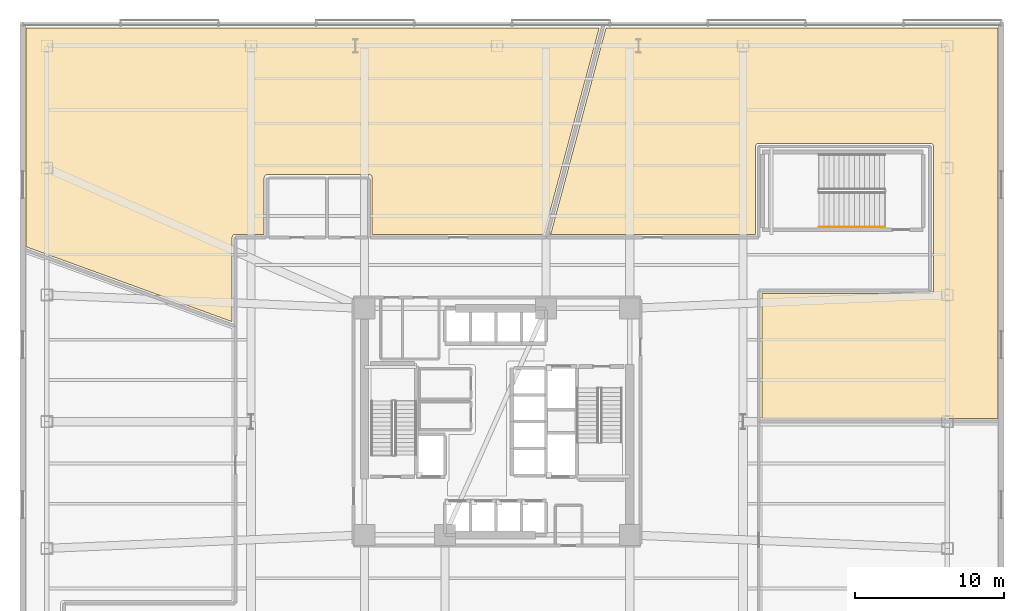
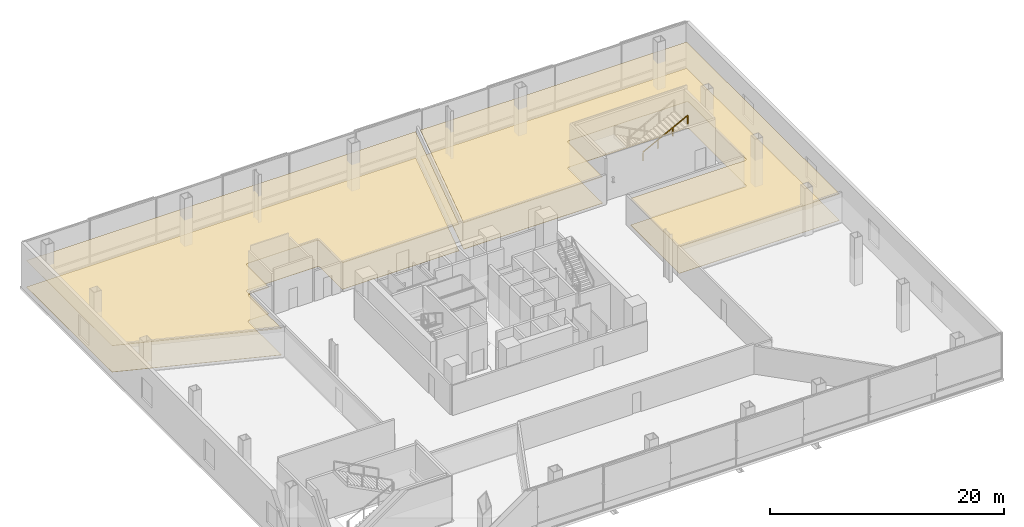
# One storey, part 23 of 24: 4 coverings, 1 railing.
"""IFC4 building model written with IfcOpenShell, lengths in metres."""

from ifc_helpers import new_model, si_unit, direction, frame, origin, origin_2d, place, context, subcontext, project, spatial, polyline, rectangle, outline, extrude, material, layer, layer_set, type_object, element, save


model = new_model("IFC4")

# Units and contexts
model_context = context("Model", 3, precision=1e-05, world=origin(), true_north=direction((0.0, 1.0)))
body_context = subcontext(model_context, "Body", "Model", "MODEL_VIEW")
ifc_project = project(units=[si_unit("LENGTHUNIT", "METRE"), si_unit("AREAUNIT", "SQUARE_METRE"), si_unit("VOLUMEUNIT", "CUBIC_METRE"), si_unit("PLANEANGLEUNIT", "RADIAN"), si_unit("MASSUNIT", "GRAM", prefix="KILO")], contexts=[model_context])

# Site, building, storey
site_placement = place(None, origin())
site = spatial("IfcSite", under=ifc_project, at=site_placement, CompositionType="ELEMENT")
building_placement = place(site_placement, origin())
building = spatial("IfcBuilding", under=site, at=building_placement, Name="Tharavind Bronze Gate", CompositionType="ELEMENT")
storey_placement = place(building_placement, frame((0.0, 0.0, 21.5)))
storey = spatial("IfcBuildingStorey", under=building, at=storey_placement, Name="L04", CompositionType="ELEMENT", Elevation=21.5)

# Coverings
ifc_material_1 = material(Name="Perforated Bronze Acoustic Panel", Category="bronze")
ifc_layer_1 = layer(ifc_material_1, 0.044921875)
ifc_layer_set_1 = layer_set([ifc_layer_1], Name="Perforated Bronze Acoustic Panel")
covering_type_1 = type_object("IfcCoveringType", Name="ACOUSTIC BRONZE BAFFLE CEILING", PredefinedType="CEILING", material=ifc_layer_set_1)
covering_1_placement = place(storey_placement, frame((0.0, 0.0, 2.75)))
element("IfcCovering", 1, at=covering_1_placement, inside=storey, type_object=covering_type_1, Name="L04-PD-01 suspended ceiling", PredefinedType="CEILING", context=body_context, shape_type="SweptSolid", body=[
    extrude(outline(polyline([(17.330078125, 12.570068359375), (17.330078125, 18.449462890625), (17.330322265625, 18.460205078125), (17.330322265625, 18.460693359375), (17.33251953125, 18.482421875), (17.336669921875, 18.50341796875), (17.343017578125, 18.524169921875), (17.351318359375, 18.5439453125), (17.361328125, 18.56298828125), (17.373291015625, 18.5810546875), (17.386962890625, 18.59765625), (17.40234375, 18.613037109375), (17.4189453125, 18.626708984375), (17.43701171875, 18.638671875), (17.4560546875, 18.648681640625), (17.475830078125, 18.656982421875), (17.49658203125, 18.663330078125), (17.517578125, 18.66748046875), (17.539306640625, 18.669677734375), (17.539794921875, 18.669677734375), (17.550537109375, 18.669921875), (29.04931640625, 18.669921875), (29.060302734375, 18.669677734375), (29.060791015625, 18.669677734375), (29.082275390625, 18.66748046875), (29.103515625, 18.663330078125), (29.1240234375, 18.656982421875), (29.14404296875, 18.648681640625), (29.1630859375, 18.638671875), (29.180908203125, 18.626708984375), (29.19775390625, 18.613037109375), (29.212890625, 18.59765625), (29.226806640625, 18.5810546875), (29.23876953125, 18.56298828125), (29.248779296875, 18.5439453125), (29.257080078125, 18.524169921875), (29.263427734375, 18.50341796875), (29.267578125, 18.482421875), (29.269775390625, 18.460693359375), (29.269775390625, 18.460205078125), (29.27001953125, 18.449462890625), (29.27001953125, 8.800537109375), (29.269775390625, 8.789794921875), (29.269775390625, 8.789306640625), (29.267578125, 8.767578125), (29.263427734375, 8.74658203125), (29.257080078125, 8.725830078125), (29.248779296875, 8.7060546875), (29.23876953125, 8.68701171875), (29.226806640625, 8.6689453125), (29.212890625, 8.65234375), (29.19775390625, 8.636962890625), (29.180908203125, 8.623291015625), (29.1630859375, 8.611328125), (29.14404296875, 8.601318359375), (29.1240234375, 8.593017578125), (29.103515625, 8.586669921875), (29.082275390625, 8.58251953125), (29.060791015625, 8.580322265625), (29.060302734375, 8.580322265625), (29.04931640625, 8.580078125), (17.77001953125, 8.580078125), (17.77001953125, 0.219970703125), (33.60009765625, 0.219970703125), (33.60009765625, 26.39990234375), (7.301513671875, 26.39990234375), (3.595947265625, 12.570068359375), (17.330078125, 12.570068359375)])), origin(), (0.0, 0.0, 1.0), 0.034912109375),
])
covering_2_placement = place(storey_placement, frame((0.0, 0.0, 2.75)))
element("IfcCovering", 2, at=covering_2_placement, inside=storey, type_object=covering_type_1, Name="L04-PD-02 suspended ceiling", PredefinedType="CEILING", context=body_context, shape_type="SweptSolid", body=[
    extrude(outline(polyline([(-31.60009765625, 11.735595703125), (-17.77001953125, 6.701904296875), (-17.77001953125, 12.349365234375), (-17.769775390625, 12.360107421875), (-17.769775390625, 12.36083984375), (-17.767578125, 12.38232421875), (-17.763427734375, 12.4033203125), (-17.757080078125, 12.424072265625), (-17.748779296875, 12.444091796875), (-17.73876953125, 12.463134765625), (-17.726806640625, 12.48095703125), (-17.712890625, 12.497802734375), (-17.69775390625, 12.512939453125), (-17.680908203125, 12.526611328125), (-17.6630859375, 12.538818359375), (-17.64404296875, 12.548828125), (-17.6240234375, 12.55712890625), (-17.603515625, 12.5634765625), (-17.582275390625, 12.567626953125), (-17.560791015625, 12.569580078125), (-17.560302734375, 12.569580078125), (-17.54931640625, 12.570068359375), (-15.6201171875, 12.570068359375), (-15.6201171875, 16.349365234375), (-15.61962890625, 16.360107421875), (-15.61962890625, 16.36083984375), (-15.61767578125, 16.38232421875), (-15.61328125, 16.4033203125), (-15.607177734375, 16.424072265625), (-15.598876953125, 16.444091796875), (-15.588623046875, 16.463134765625), (-15.57666015625, 16.48095703125), (-15.56298828125, 16.497802734375), (-15.547607421875, 16.512939453125), (-15.531005859375, 16.526611328125), (-15.51318359375, 16.538818359375), (-15.493896484375, 16.548828125), (-15.47412109375, 16.55712890625), (-15.453369140625, 16.5634765625), (-15.432373046875, 16.567626953125), (-15.410888671875, 16.569580078125), (-15.41015625, 16.569580078125), (-15.3994140625, 16.570068359375), (-8.6005859375, 16.570068359375), (-8.58984375, 16.569580078125), (-8.589111328125, 16.569580078125), (-8.567626953125, 16.567626953125), (-8.546630859375, 16.5634765625), (-8.52587890625, 16.55712890625), (-8.506103515625, 16.548828125), (-8.48681640625, 16.538818359375), (-8.468994140625, 16.526611328125), (-8.452392578125, 16.512939453125), (-8.43701171875, 16.497802734375), (-8.42333984375, 16.48095703125), (-8.411376953125, 16.463134765625), (-8.401123046875, 16.444091796875), (-8.392822265625, 16.424072265625), (-8.38671875, 16.4033203125), (-8.38232421875, 16.38232421875), (-8.38037109375, 16.36083984375), (-8.38037109375, 16.360107421875), (-8.3798828125, 16.349365234375), (-8.3798828125, 12.570068359375), (3.140380859375, 12.570068359375), (6.84619140625, 26.39990234375), (-31.60009765625, 26.39990234375), (-31.60009765625, 11.735595703125)])), origin(), (0.0, 0.0, 1.0), 0.034912109375),
])
ifc_material_2 = material(Name="Honed Travertine Limestone", Category="masonry")
ifc_layer_2 = layer(ifc_material_2, 0.030029296875)
ifc_layer_set_2 = layer_set([ifc_layer_2], Name="Honed Travertine Limestone")
covering_type_2 = type_object("IfcCoveringType", Name="HONED LIMESTONE FLOORING", PredefinedType="FLOORING", material=ifc_layer_set_2)
covering_3_placement = place(storey_placement, origin())
element("IfcCovering", 3, at=covering_3_placement, inside=storey, type_object=covering_type_2, Name="L04-PD-01 floor finish", PredefinedType="FLOORING", context=body_context, shape_type="SweptSolid", body=[
    extrude(outline(polyline([(17.330078125, 12.570068359375), (17.330078125, 18.449462890625), (17.330322265625, 18.460205078125), (17.330322265625, 18.460693359375), (17.33251953125, 18.482421875), (17.336669921875, 18.50341796875), (17.343017578125, 18.524169921875), (17.351318359375, 18.5439453125), (17.361328125, 18.56298828125), (17.373291015625, 18.5810546875), (17.386962890625, 18.59765625), (17.40234375, 18.613037109375), (17.4189453125, 18.626708984375), (17.43701171875, 18.638671875), (17.4560546875, 18.648681640625), (17.475830078125, 18.656982421875), (17.49658203125, 18.663330078125), (17.517578125, 18.66748046875), (17.539306640625, 18.669677734375), (17.539794921875, 18.669677734375), (17.550537109375, 18.669921875), (29.04931640625, 18.669921875), (29.060302734375, 18.669677734375), (29.060791015625, 18.669677734375), (29.082275390625, 18.66748046875), (29.103515625, 18.663330078125), (29.1240234375, 18.656982421875), (29.14404296875, 18.648681640625), (29.1630859375, 18.638671875), (29.180908203125, 18.626708984375), (29.19775390625, 18.613037109375), (29.212890625, 18.59765625), (29.226806640625, 18.5810546875), (29.23876953125, 18.56298828125), (29.248779296875, 18.5439453125), (29.257080078125, 18.524169921875), (29.263427734375, 18.50341796875), (29.267578125, 18.482421875), (29.269775390625, 18.460693359375), (29.269775390625, 18.460205078125), (29.27001953125, 18.449462890625), (29.27001953125, 8.800537109375), (29.269775390625, 8.789794921875), (29.269775390625, 8.789306640625), (29.267578125, 8.767578125), (29.263427734375, 8.74658203125), (29.257080078125, 8.725830078125), (29.248779296875, 8.7060546875), (29.23876953125, 8.68701171875), (29.226806640625, 8.6689453125), (29.212890625, 8.65234375), (29.19775390625, 8.636962890625), (29.180908203125, 8.623291015625), (29.1630859375, 8.611328125), (29.14404296875, 8.601318359375), (29.1240234375, 8.593017578125), (29.103515625, 8.586669921875), (29.082275390625, 8.58251953125), (29.060791015625, 8.580322265625), (29.060302734375, 8.580322265625), (29.04931640625, 8.580078125), (17.77001953125, 8.580078125), (17.77001953125, 0.219970703125), (33.60009765625, 0.219970703125), (33.60009765625, 26.39990234375), (7.301513671875, 26.39990234375), (3.595947265625, 12.570068359375), (17.330078125, 12.570068359375)])), origin(), (0.0, 0.0, 1.0), 0.02490234375),
])
covering_4_placement = place(storey_placement, origin())
element("IfcCovering", 4, at=covering_4_placement, inside=storey, type_object=covering_type_2, Name="L04-PD-02 floor finish", PredefinedType="FLOORING", context=body_context, shape_type="SweptSolid", body=[
    extrude(outline(polyline([(-31.60009765625, 11.735595703125), (-17.77001953125, 6.701904296875), (-17.77001953125, 12.349365234375), (-17.769775390625, 12.360107421875), (-17.769775390625, 12.36083984375), (-17.767578125, 12.38232421875), (-17.763427734375, 12.4033203125), (-17.757080078125, 12.424072265625), (-17.748779296875, 12.444091796875), (-17.73876953125, 12.463134765625), (-17.726806640625, 12.48095703125), (-17.712890625, 12.497802734375), (-17.69775390625, 12.512939453125), (-17.680908203125, 12.526611328125), (-17.6630859375, 12.538818359375), (-17.64404296875, 12.548828125), (-17.6240234375, 12.55712890625), (-17.603515625, 12.5634765625), (-17.582275390625, 12.567626953125), (-17.560791015625, 12.569580078125), (-17.560302734375, 12.569580078125), (-17.54931640625, 12.570068359375), (-15.6201171875, 12.570068359375), (-15.6201171875, 16.349365234375), (-15.61962890625, 16.360107421875), (-15.61962890625, 16.36083984375), (-15.61767578125, 16.38232421875), (-15.61328125, 16.4033203125), (-15.607177734375, 16.424072265625), (-15.598876953125, 16.444091796875), (-15.588623046875, 16.463134765625), (-15.57666015625, 16.48095703125), (-15.56298828125, 16.497802734375), (-15.547607421875, 16.512939453125), (-15.531005859375, 16.526611328125), (-15.51318359375, 16.538818359375), (-15.493896484375, 16.548828125), (-15.47412109375, 16.55712890625), (-15.453369140625, 16.5634765625), (-15.432373046875, 16.567626953125), (-15.410888671875, 16.569580078125), (-15.41015625, 16.569580078125), (-15.3994140625, 16.570068359375), (-8.6005859375, 16.570068359375), (-8.58984375, 16.569580078125), (-8.589111328125, 16.569580078125), (-8.567626953125, 16.567626953125), (-8.546630859375, 16.5634765625), (-8.52587890625, 16.55712890625), (-8.506103515625, 16.548828125), (-8.48681640625, 16.538818359375), (-8.468994140625, 16.526611328125), (-8.452392578125, 16.512939453125), (-8.43701171875, 16.497802734375), (-8.42333984375, 16.48095703125), (-8.411376953125, 16.463134765625), (-8.401123046875, 16.444091796875), (-8.392822265625, 16.424072265625), (-8.38671875, 16.4033203125), (-8.38232421875, 16.38232421875), (-8.38037109375, 16.36083984375), (-8.38037109375, 16.360107421875), (-8.3798828125, 16.349365234375), (-8.3798828125, 12.570068359375), (3.140380859375, 12.570068359375), (6.84619140625, 26.39990234375), (-31.60009765625, 26.39990234375), (-31.60009765625, 11.735595703125)])), origin(), (0.0, 0.0, 1.0), 0.02490234375),
])

# Railing
ifc_material_3 = material(Name="Brushed Bronze Alloy", Category="metal")
railing_type = type_object("IfcRailingType", Name="STAIR BRONZE HANDRAIL 900", PredefinedType="HANDRAIL", material=ifc_material_3)
railing_placement = place(storey_placement, frame((21.580078125, 13.050048828125, 2.678466796875)))
element("IfcRailing", 5, at=railing_placement, inside=storey, type_object=railing_type, Name="L04 ST4 stair handrail 2", PredefinedType="HANDRAIL", context=body_context, shape_type="SweptSolid", body=[
    extrude(rectangle(XDim=0.048095703125, YDim=0.048095703125, at=origin_2d()), frame((0.0283203125, 0.0, 0.890625), z_axis=(0.885309332511, 0.0, 0.465002565336), x_axis=(0.0, 1.0, 0.0)), (0.0, 0.0, 1.0), 4.928466796875),
    extrude(rectangle(XDim=0.0400390625, YDim=0.0400390625, at=origin_2d()), origin(), (0.0, 0.0, 1.0), 0.847900390625),
    extrude(rectangle(XDim=0.0400390625, YDim=0.0400390625, at=origin_2d()), frame((1.473388671875, 0.0, 0.77392578125)), (0.0, 0.0, 1.0), 0.847900390625),
    extrude(rectangle(XDim=0.0400390625, YDim=0.0400390625, at=origin_2d()), frame((2.946533203125, 0.0, 1.547607421875)), (0.0, 0.0, 1.0), 0.847900390625),
    extrude(rectangle(XDim=0.0400390625, YDim=0.0400390625, at=origin_2d()), frame((4.419921875, 0.0, 2.321533203125)), (0.0, 0.0, 1.0), 0.847900390625),
])

save(model, "model.ifc")
